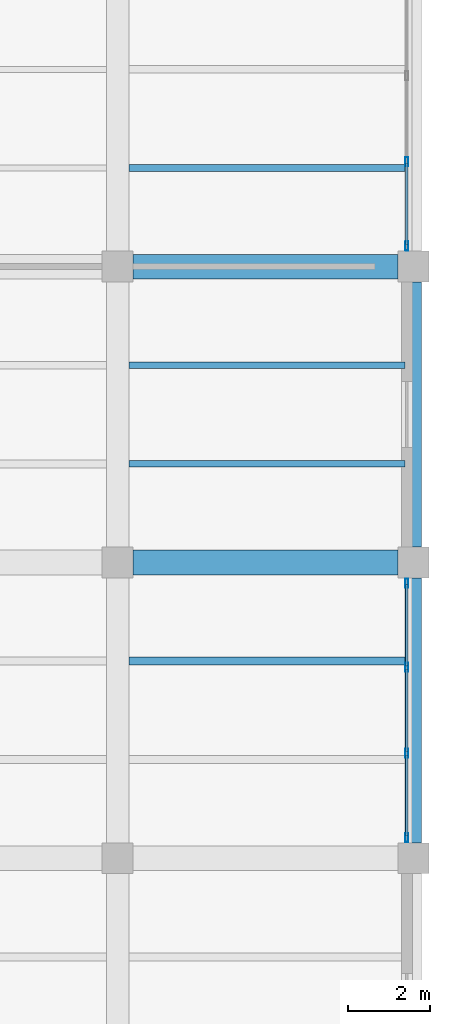
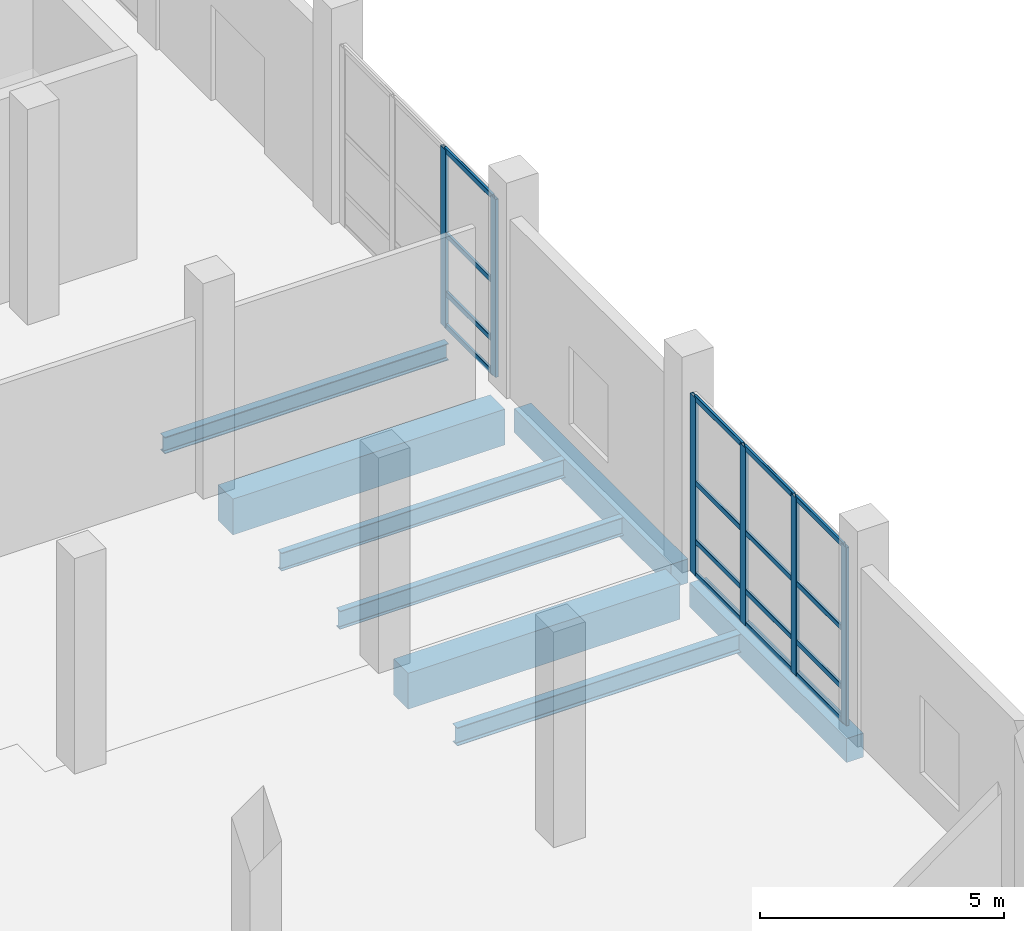
# One storey, part 78 of 137: 22 members, 8 beams, 2 elements without a shape of their own.
"""IFC4 building model written with IfcOpenShell, lengths in metres."""

from ifc_helpers import new_model, si_unit, direction, frame, origin, origin_2d, place, context, subcontext, project, spatial, rectangle, hollow_rectangle, i_section, extrude, material, material_profile, profile_set, type_object, element, aggregate, save


model = new_model("IFC4")

# Units and contexts
model_context = context("Model", 3, precision=1e-05, world=origin(), true_north=direction((0.0, 1.0)))
body_context = subcontext(model_context, "Body", "Model", "MODEL_VIEW")
ifc_project = project(units=[si_unit("LENGTHUNIT", "METRE"), si_unit("AREAUNIT", "SQUARE_METRE"), si_unit("VOLUMEUNIT", "CUBIC_METRE"), si_unit("PLANEANGLEUNIT", "RADIAN"), si_unit("MASSUNIT", "GRAM", prefix="KILO")], contexts=[model_context])

# Site, building, storey
site_placement = place(None, origin())
site = spatial("IfcSite", under=ifc_project, at=site_placement, CompositionType="ELEMENT")
building_placement = place(site_placement, origin())
building = spatial("IfcBuilding", under=site, at=building_placement, Name="Kalmorath City Hall", CompositionType="ELEMENT")
storey_placement = place(building_placement, origin())
storey = spatial("IfcBuildingStorey", under=building, at=storey_placement, Name="L00", CompositionType="ELEMENT", Elevation=0.0)

# Beams
ifc_material_1 = material(Name="Concrete C40/50", Category="concrete")
ifc_material_profile_1 = material_profile(ifc_material_1, rectangle(XDim=0.39990234375, YDim=0.60009765625, at=origin_2d()), Name="RC-BM-400X600")
ifc_profile_set_1 = profile_set([ifc_material_profile_1], Name="Concrete C40/50")
beam_type_1 = type_object("IfcBeamType", Name="Concrete edge beam 400x600", PredefinedType="SPANDREL", material=ifc_profile_set_1)
for number, where, z_axis, x_axis, name in (
    (1, (165.60009765625, 65.175048828125, -0.60400390625), (0.0, 1.0, 0.0), (-1.0, 0.0, 0.0), "L00 girder CB6 Y24/10-11"),
    (2, (165.60009765625, 72.375, -0.60400390625), (0.0, 1.0, 0.0), (-1.0, 0.0, 0.0), "L00 girder CB6 Y24/11-12"),
):
    element("IfcBeam", number, at=place(storey_placement, frame(where, z_axis=z_axis, x_axis=x_axis)), inside=storey, type_object=beam_type_1, Name=name, PredefinedType="SPANDREL", context=body_context, shape_type="SweptSolid", body=[
        extrude(rectangle(XDim=0.39990234375, YDim=0.60009765625, at=origin_2d()), origin(), (0.0, 0.0, 1.0), 6.449951171875),
    ])
ifc_material_2 = material(Name="Concrete C40/50", Category="concrete")
ifc_material_profile_2 = material_profile(ifc_material_2, rectangle(XDim=0.60009765625, YDim=0.89990234375, at=origin_2d()), Name="RC-BM-600X900")
ifc_profile_set_2 = profile_set([ifc_material_profile_2], Name="Concrete C40/50")
beam_type_2 = type_object("IfcBeamType", Name="Concrete floor girder 600x900", PredefinedType="BEAM", material=ifc_profile_set_2)
for number, where, z_axis, x_axis, name in (
    (3, (158.77490234375, 72.0, -0.75390625), (1.0, 0.0, 0.0), (0.0, 1.0, 0.0), "L00 girder CB1 X23-24/11"),
    (4, (158.77490234375, 79.199951171875, -0.75390625), (1.0, 0.0, 0.0), (0.0, 1.0, 0.0), "L00 girder CB1 X23-24/12"),
):
    element("IfcBeam", number, at=place(storey_placement, frame(where, z_axis=z_axis, x_axis=x_axis)), inside=storey, type_object=beam_type_2, Name=name, PredefinedType="BEAM", context=body_context, shape_type="SweptSolid", body=[
        extrude(rectangle(XDim=0.60009765625, YDim=0.89990234375, at=origin_2d()), origin(), (0.0, 0.0, 1.0), 6.4501953125),
    ])

# Curtain wall, members
ifc_material_3 = material(Name="Anodised aluminium and laminated glass", Category="aluminium")
curtain_wall_type = type_object("IfcCurtainWallType", Name="Unitised hurricane curtain wall 6270x4461 M1850", PredefinedType="NOTDEFINED", material=ifc_material_3)
curtain_wall_1_placement = place(storey_placement, origin())
curtain_wall_1 = element("IfcCurtainWall", 5, at=curtain_wall_1_placement, inside=storey, type_object=curtain_wall_type, Name="L00 curtain wall CW-63X45M18 #6", PredefinedType="NOTDEFINED")
ifc_material_4 = material(Name="Anodised aluminium framing", Category="aluminium")
ifc_material_profile_3 = material_profile(ifc_material_4, hollow_rectangle(XDim=0.06005859375, YDim=0.1298828125, WallThickness=0.00341796875, InnerFilletRadius=0.00341796875, OuterFilletRadius=0.007080078125, at=origin_2d()), Name="ALU-TRN-130X60X3.5")
ifc_profile_set_3 = profile_set([ifc_material_profile_3], Name="Anodised aluminium framing")
member_type_1 = type_object("IfcMemberType", Name="Curtain-wall courtyard transom 130x60", PredefinedType="USERDEFINED", material=ifc_profile_set_3)
member_1_placement = place(storey_placement, frame((165.43994140625, 81.717529296875, 0.030029296875), z_axis=(0.0, -1.0, 0.0), x_axis=(1.0, 0.0, 0.0)))
member_1 = element("IfcMember", 6, at=member_1_placement, type_object=member_type_1, Name="CW-63X45M18 transom 3.1", ObjectType="TRANSOM", PredefinedType="USERDEFINED", context=body_context, shape_type="SweptSolid", body=[
    extrude(hollow_rectangle(XDim=0.06005859375, YDim=0.1298828125, WallThickness=0.00341796875, InnerFilletRadius=0.00341796875, OuterFilletRadius=0.007080078125, at=origin_2d()), origin(), (0.0, 0.0, 1.0), 1.9775390625),
])
member_2_placement = place(storey_placement, frame((165.43994140625, 81.717529296875, 0.85009765625), z_axis=(0.0, -1.0, 0.0), x_axis=(1.0, 0.0, 0.0)))
member_2 = element("IfcMember", 7, at=member_2_placement, type_object=member_type_1, Name="CW-63X45M18 transom 3.2", ObjectType="TRANSOM", PredefinedType="USERDEFINED", context=body_context, shape_type="SweptSolid", body=[
    extrude(hollow_rectangle(XDim=0.06005859375, YDim=0.1298828125, WallThickness=0.00341796875, InnerFilletRadius=0.00341796875, OuterFilletRadius=0.007080078125, at=origin_2d()), origin(), (0.0, 0.0, 1.0), 1.9775390625),
])
member_3_placement = place(storey_placement, frame((165.43994140625, 81.717529296875, 2.320068359375), z_axis=(0.0, -1.0, 0.0), x_axis=(1.0, 0.0, 0.0)))
member_3 = element("IfcMember", 8, at=member_3_placement, type_object=member_type_1, Name="CW-63X45M18 transom 3.3", ObjectType="TRANSOM", PredefinedType="USERDEFINED", context=body_context, shape_type="SweptSolid", body=[
    extrude(hollow_rectangle(XDim=0.06005859375, YDim=0.1298828125, WallThickness=0.00341796875, InnerFilletRadius=0.00341796875, OuterFilletRadius=0.007080078125, at=origin_2d()), origin(), (0.0, 0.0, 1.0), 1.9775390625),
])
member_4_placement = place(storey_placement, frame((165.43994140625, 81.717529296875, 4.430908203125), z_axis=(0.0, -1.0, 0.0), x_axis=(1.0, 0.0, 0.0)))
member_4 = element("IfcMember", 9, at=member_4_placement, type_object=member_type_1, Name="CW-63X45M18 transom 3.4", ObjectType="TRANSOM", PredefinedType="USERDEFINED", context=body_context, shape_type="SweptSolid", body=[
    extrude(hollow_rectangle(XDim=0.06005859375, YDim=0.1298828125, WallThickness=0.00341796875, InnerFilletRadius=0.00341796875, OuterFilletRadius=0.007080078125, at=origin_2d()), origin(), (0.0, 0.0, 1.0), 1.9775390625),
])

curtain_wall_2_placement = place(storey_placement, origin())
curtain_wall_2 = element("IfcCurtainWall", 10, at=curtain_wall_2_placement, inside=storey, type_object=curtain_wall_type, Name="L00 curtain wall CW-63X45M18 #7", PredefinedType="NOTDEFINED")
member_5_placement = place(storey_placement, frame((165.43994140625, 71.4599609375, 0.030029296875), z_axis=(0.0, -1.0, 0.0), x_axis=(1.0, 0.0, 0.0)))
member_5 = element("IfcMember", 11, at=member_5_placement, type_object=member_type_1, Name="CW-63X45M18 transom 1.1", ObjectType="TRANSOM", PredefinedType="USERDEFINED", context=body_context, shape_type="SweptSolid", body=[
    extrude(hollow_rectangle(XDim=0.06005859375, YDim=0.1298828125, WallThickness=0.00341796875, InnerFilletRadius=0.00341796875, OuterFilletRadius=0.007080078125, at=origin_2d()), origin(), (0.0, 0.0, 1.0), 1.9775390625),
])
member_6_placement = place(storey_placement, frame((165.43994140625, 71.4599609375, 0.85009765625), z_axis=(0.0, -1.0, 0.0), x_axis=(1.0, 0.0, 0.0)))
member_6 = element("IfcMember", 12, at=member_6_placement, type_object=member_type_1, Name="CW-63X45M18 transom 1.2", ObjectType="TRANSOM", PredefinedType="USERDEFINED", context=body_context, shape_type="SweptSolid", body=[
    extrude(hollow_rectangle(XDim=0.06005859375, YDim=0.1298828125, WallThickness=0.00341796875, InnerFilletRadius=0.00341796875, OuterFilletRadius=0.007080078125, at=origin_2d()), origin(), (0.0, 0.0, 1.0), 1.9775390625),
])
member_7_placement = place(storey_placement, frame((165.43994140625, 71.4599609375, 2.320068359375), z_axis=(0.0, -1.0, 0.0), x_axis=(1.0, 0.0, 0.0)))
member_7 = element("IfcMember", 13, at=member_7_placement, type_object=member_type_1, Name="CW-63X45M18 transom 1.3", ObjectType="TRANSOM", PredefinedType="USERDEFINED", context=body_context, shape_type="SweptSolid", body=[
    extrude(hollow_rectangle(XDim=0.06005859375, YDim=0.1298828125, WallThickness=0.00341796875, InnerFilletRadius=0.00341796875, OuterFilletRadius=0.007080078125, at=origin_2d()), origin(), (0.0, 0.0, 1.0), 1.9775390625),
])
member_8_placement = place(storey_placement, frame((165.43994140625, 71.4599609375, 4.430908203125), z_axis=(0.0, -1.0, 0.0), x_axis=(1.0, 0.0, 0.0)))
member_8 = element("IfcMember", 14, at=member_8_placement, type_object=member_type_1, Name="CW-63X45M18 transom 1.4", ObjectType="TRANSOM", PredefinedType="USERDEFINED", context=body_context, shape_type="SweptSolid", body=[
    extrude(hollow_rectangle(XDim=0.06005859375, YDim=0.1298828125, WallThickness=0.00341796875, InnerFilletRadius=0.00341796875, OuterFilletRadius=0.007080078125, at=origin_2d()), origin(), (0.0, 0.0, 1.0), 1.9775390625),
])
member_9_placement = place(storey_placement, frame((165.43994140625, 69.407470703125, 0.030029296875), z_axis=(0.0, -1.0, 0.0), x_axis=(1.0, 0.0, 0.0)))
member_9 = element("IfcMember", 15, at=member_9_placement, type_object=member_type_1, Name="CW-63X45M18 transom 2.1", ObjectType="TRANSOM", PredefinedType="USERDEFINED", context=body_context, shape_type="SweptSolid", body=[
    extrude(hollow_rectangle(XDim=0.06005859375, YDim=0.1298828125, WallThickness=0.00341796875, InnerFilletRadius=0.00341796875, OuterFilletRadius=0.007080078125, at=origin_2d()), origin(), (0.0, 0.0, 1.0), 2.014892578125),
])
member_10_placement = place(storey_placement, frame((165.43994140625, 69.407470703125, 0.85009765625), z_axis=(0.0, -1.0, 0.0), x_axis=(1.0, 0.0, 0.0)))
member_10 = element("IfcMember", 16, at=member_10_placement, type_object=member_type_1, Name="CW-63X45M18 transom 2.2", ObjectType="TRANSOM", PredefinedType="USERDEFINED", context=body_context, shape_type="SweptSolid", body=[
    extrude(hollow_rectangle(XDim=0.06005859375, YDim=0.1298828125, WallThickness=0.00341796875, InnerFilletRadius=0.00341796875, OuterFilletRadius=0.007080078125, at=origin_2d()), origin(), (0.0, 0.0, 1.0), 2.014892578125),
])
member_11_placement = place(storey_placement, frame((165.43994140625, 69.407470703125, 2.320068359375), z_axis=(0.0, -1.0, 0.0), x_axis=(1.0, 0.0, 0.0)))
member_11 = element("IfcMember", 17, at=member_11_placement, type_object=member_type_1, Name="CW-63X45M18 transom 2.3", ObjectType="TRANSOM", PredefinedType="USERDEFINED", context=body_context, shape_type="SweptSolid", body=[
    extrude(hollow_rectangle(XDim=0.06005859375, YDim=0.1298828125, WallThickness=0.00341796875, InnerFilletRadius=0.00341796875, OuterFilletRadius=0.007080078125, at=origin_2d()), origin(), (0.0, 0.0, 1.0), 2.014892578125),
])
member_12_placement = place(storey_placement, frame((165.43994140625, 69.407470703125, 4.430908203125), z_axis=(0.0, -1.0, 0.0), x_axis=(1.0, 0.0, 0.0)))
member_12 = element("IfcMember", 18, at=member_12_placement, type_object=member_type_1, Name="CW-63X45M18 transom 2.4", ObjectType="TRANSOM", PredefinedType="USERDEFINED", context=body_context, shape_type="SweptSolid", body=[
    extrude(hollow_rectangle(XDim=0.06005859375, YDim=0.1298828125, WallThickness=0.00341796875, InnerFilletRadius=0.00341796875, OuterFilletRadius=0.007080078125, at=origin_2d()), origin(), (0.0, 0.0, 1.0), 2.014892578125),
])
member_13_placement = place(storey_placement, frame((165.43994140625, 67.3173828125, 0.030029296875), z_axis=(0.0, -1.0, 0.0), x_axis=(1.0, 0.0, 0.0)))
member_13 = element("IfcMember", 19, at=member_13_placement, type_object=member_type_1, Name="CW-63X45M18 transom 3.1", ObjectType="TRANSOM", PredefinedType="USERDEFINED", context=body_context, shape_type="SweptSolid", body=[
    extrude(hollow_rectangle(XDim=0.06005859375, YDim=0.1298828125, WallThickness=0.00341796875, InnerFilletRadius=0.00341796875, OuterFilletRadius=0.007080078125, at=origin_2d()), origin(), (0.0, 0.0, 1.0), 1.977294921875),
])
member_14_placement = place(storey_placement, frame((165.43994140625, 67.3173828125, 0.85009765625), z_axis=(0.0, -1.0, 0.0), x_axis=(1.0, 0.0, 0.0)))
member_14 = element("IfcMember", 20, at=member_14_placement, type_object=member_type_1, Name="CW-63X45M18 transom 3.2", ObjectType="TRANSOM", PredefinedType="USERDEFINED", context=body_context, shape_type="SweptSolid", body=[
    extrude(hollow_rectangle(XDim=0.06005859375, YDim=0.1298828125, WallThickness=0.00341796875, InnerFilletRadius=0.00341796875, OuterFilletRadius=0.007080078125, at=origin_2d()), origin(), (0.0, 0.0, 1.0), 1.977294921875),
])
member_15_placement = place(storey_placement, frame((165.43994140625, 67.3173828125, 2.320068359375), z_axis=(0.0, -1.0, 0.0), x_axis=(1.0, 0.0, 0.0)))
member_15 = element("IfcMember", 21, at=member_15_placement, type_object=member_type_1, Name="CW-63X45M18 transom 3.3", ObjectType="TRANSOM", PredefinedType="USERDEFINED", context=body_context, shape_type="SweptSolid", body=[
    extrude(hollow_rectangle(XDim=0.06005859375, YDim=0.1298828125, WallThickness=0.00341796875, InnerFilletRadius=0.00341796875, OuterFilletRadius=0.007080078125, at=origin_2d()), origin(), (0.0, 0.0, 1.0), 1.977294921875),
])
member_16_placement = place(storey_placement, frame((165.43994140625, 67.3173828125, 4.430908203125), z_axis=(0.0, -1.0, 0.0), x_axis=(1.0, 0.0, 0.0)))
member_16 = element("IfcMember", 22, at=member_16_placement, type_object=member_type_1, Name="CW-63X45M18 transom 3.4", ObjectType="TRANSOM", PredefinedType="USERDEFINED", context=body_context, shape_type="SweptSolid", body=[
    extrude(hollow_rectangle(XDim=0.06005859375, YDim=0.1298828125, WallThickness=0.00341796875, InnerFilletRadius=0.00341796875, OuterFilletRadius=0.007080078125, at=origin_2d()), origin(), (0.0, 0.0, 1.0), 1.977294921875),
])

# Member
ifc_material_5 = material(Name="Anodised aluminium framing", Category="aluminium")
ifc_material_profile_4 = material_profile(ifc_material_5, hollow_rectangle(XDim=0.074951171875, YDim=0.219970703125, WallThickness=0.00390625, InnerFilletRadius=0.00390625, OuterFilletRadius=0.008056640625, at=origin_2d()), Name="ALU-MUL-220X75X4")
ifc_profile_set_4 = profile_set([ifc_material_profile_4], Name="Anodised aluminium framing")
member_type_2 = type_object("IfcMemberType", Name="Curtain-wall primary mullion 220x75", PredefinedType="MULLION", material=ifc_profile_set_4)
member_17_placement = place(storey_placement, frame((165.43994140625, 81.7548828125, 0.0), z_axis=(0.0, 0.0, 1.0), x_axis=(1.0, 0.0, 0.0)))
member_17 = element("IfcMember", 23, at=member_17_placement, type_object=member_type_2, Name="CW-63X45M18 mullion 3", PredefinedType="MULLION", context=body_context, shape_type="SweptSolid", body=[
    extrude(hollow_rectangle(XDim=0.074951171875, YDim=0.219970703125, WallThickness=0.00390625, InnerFilletRadius=0.00390625, OuterFilletRadius=0.008056640625, at=origin_2d()), origin(), (0.0, 0.0, 1.0), 4.4609375),
])

member_18_placement = place(storey_placement, frame((165.43994140625, 79.702392578125, 0.0), z_axis=(0.0, 0.0, 1.0), x_axis=(1.0, 0.0, 0.0)))
member_18 = element("IfcMember", 24, at=member_18_placement, type_object=member_type_2, Name="CW-63X45M18 mullion 4", PredefinedType="MULLION", context=body_context, shape_type="SweptSolid", body=[
    extrude(hollow_rectangle(XDim=0.074951171875, YDim=0.219970703125, WallThickness=0.00390625, InnerFilletRadius=0.00390625, OuterFilletRadius=0.008056640625, at=origin_2d()), origin(), (0.0, 0.0, 1.0), 4.4609375),
])

aggregate(curtain_wall_1, [member_17, member_18, member_1, member_2, member_3, member_4])

member_19_placement = place(storey_placement, frame((165.43994140625, 71.49755859375, 0.0), z_axis=(0.0, 0.0, 1.0), x_axis=(1.0, 0.0, 0.0)))
member_19 = element("IfcMember", 25, at=member_19_placement, type_object=member_type_2, Name="CW-63X45M18 mullion 1", PredefinedType="MULLION", context=body_context, shape_type="SweptSolid", body=[
    extrude(hollow_rectangle(XDim=0.074951171875, YDim=0.219970703125, WallThickness=0.00390625, InnerFilletRadius=0.00390625, OuterFilletRadius=0.008056640625, at=origin_2d()), origin(), (0.0, 0.0, 1.0), 4.4609375),
])

member_20_placement = place(storey_placement, frame((165.43994140625, 69.445068359375, 0.0), z_axis=(0.0, 0.0, 1.0), x_axis=(1.0, 0.0, 0.0)))
member_20 = element("IfcMember", 26, at=member_20_placement, type_object=member_type_2, Name="CW-63X45M18 mullion 2", PredefinedType="MULLION", context=body_context, shape_type="SweptSolid", body=[
    extrude(hollow_rectangle(XDim=0.074951171875, YDim=0.219970703125, WallThickness=0.00390625, InnerFilletRadius=0.00390625, OuterFilletRadius=0.008056640625, at=origin_2d()), origin(), (0.0, 0.0, 1.0), 4.4609375),
])

member_21_placement = place(storey_placement, frame((165.43994140625, 67.35498046875, 0.0), z_axis=(0.0, 0.0, 1.0), x_axis=(1.0, 0.0, 0.0)))
member_21 = element("IfcMember", 27, at=member_21_placement, type_object=member_type_2, Name="CW-63X45M18 mullion 3", PredefinedType="MULLION", context=body_context, shape_type="SweptSolid", body=[
    extrude(hollow_rectangle(XDim=0.074951171875, YDim=0.219970703125, WallThickness=0.00390625, InnerFilletRadius=0.00390625, OuterFilletRadius=0.008056640625, at=origin_2d()), origin(), (0.0, 0.0, 1.0), 4.4609375),
])

member_22_placement = place(storey_placement, frame((165.43994140625, 65.302490234375, 0.0), z_axis=(0.0, 0.0, 1.0), x_axis=(1.0, 0.0, 0.0)))
member_22 = element("IfcMember", 28, at=member_22_placement, type_object=member_type_2, Name="CW-63X45M18 mullion 4", PredefinedType="MULLION", context=body_context, shape_type="SweptSolid", body=[
    extrude(hollow_rectangle(XDim=0.074951171875, YDim=0.219970703125, WallThickness=0.00390625, InnerFilletRadius=0.00390625, OuterFilletRadius=0.008056640625, at=origin_2d()), origin(), (0.0, 0.0, 1.0), 4.4609375),
])

aggregate(curtain_wall_2, [member_19, member_20, member_21, member_22, member_5, member_6, member_7, member_8, member_9, member_10, member_11, member_12, member_13, member_14, member_15, member_16])

# Beams
ifc_material_6 = material(Name="Steel ASTM A992 Grade 50", Category="steel")
ifc_material_profile_5 = material_profile(ifc_material_6, i_section(OverallWidth=0.180908203125, OverallDepth=0.4169921875, WebThickness=0.010986328125, FlangeThickness=0.018310546875, FilletRadius=0.012939453125, at=origin_2d()), Name="W16X57")
ifc_profile_set_5 = profile_set([ifc_material_profile_5], Name="Steel ASTM A992 Grade 50")
beam_type_3 = type_object("IfcBeamType", Name="Steel composite joist W16X57", PredefinedType="JOIST", material=ifc_profile_set_5)
beam_1_placement = place(storey_placement, frame((158.675048828125, 81.60009765625, -0.512451171875), z_axis=(1.0, 0.0, 0.0), x_axis=(0.0, 1.0, 0.0)))
element("IfcBeam", 29, at=beam_1_placement, inside=storey, type_object=beam_type_3, Name="L00 joist SJ5 23.12.1", PredefinedType="JOIST", context=body_context, shape_type="SweptSolid", body=[
    extrude(i_section(OverallWidth=0.180908203125, OverallDepth=0.4169921875, WebThickness=0.010986328125, FlangeThickness=0.018310546875, FilletRadius=0.012939453125, at=origin_2d()), origin(), (0.0, 0.0, 1.0), 6.724853515625),
])
ifc_material_7 = material(Name="Steel ASTM A992 Grade 50", Category="steel")
ifc_material_profile_6 = material_profile(ifc_material_7, i_section(OverallWidth=0.153076171875, OverallDepth=0.455078125, WebThickness=0.008056640625, FlangeThickness=0.01318359375, FilletRadius=0.013916015625, at=origin_2d()), Name="W18X40")
ifc_profile_set_6 = profile_set([ifc_material_profile_6], Name="Steel ASTM A992 Grade 50")
beam_type_4 = type_object("IfcBeamType", Name="Steel composite joist W18X40", PredefinedType="JOIST", material=ifc_profile_set_6)
for number, where, z_axis, x_axis, name in (
    (30, (158.675048828125, 74.39990234375, -0.531494140625), (1.0, 0.0, 0.0), (0.0, 1.0, 0.0), "L00 joist SJ4 23.11.1"),
    (31, (158.675048828125, 76.800048828125, -0.531494140625), (1.0, 0.0, 0.0), (0.0, 1.0, 0.0), "L00 joist SJ4 23.11.2"),
):
    element("IfcBeam", number, at=place(storey_placement, frame(where, z_axis=z_axis, x_axis=x_axis)), inside=storey, type_object=beam_type_4, Name=name, PredefinedType="JOIST", context=body_context, shape_type="SweptSolid", body=[
        extrude(i_section(OverallWidth=0.153076171875, OverallDepth=0.455078125, WebThickness=0.008056640625, FlangeThickness=0.01318359375, FilletRadius=0.013916015625, at=origin_2d()), origin(), (0.0, 0.0, 1.0), 6.724853515625),
    ])
ifc_material_8 = material(Name="Steel ASTM A992 Grade 50", Category="steel")
ifc_material_profile_7 = material_profile(ifc_material_8, i_section(OverallWidth=0.19091796875, OverallDepth=0.45703125, WebThickness=0.009033203125, FlangeThickness=0.014404296875, FilletRadius=0.013916015625, at=origin_2d()), Name="W18X50")
ifc_profile_set_7 = profile_set([ifc_material_profile_7], Name="Steel ASTM A992 Grade 50")
beam_type_5 = type_object("IfcBeamType", Name="Steel composite joist W18X50", PredefinedType="JOIST", material=ifc_profile_set_7)
beam_2_placement = place(storey_placement, frame((158.675048828125, 69.60009765625, -0.532470703125), z_axis=(1.0, 0.0, 0.0), x_axis=(0.0, 1.0, 0.0)))
element("IfcBeam", 32, at=beam_2_placement, inside=storey, type_object=beam_type_5, Name="L00 joist SJ3 23.10.2", PredefinedType="JOIST", context=body_context, shape_type="SweptSolid", body=[
    extrude(i_section(OverallWidth=0.19091796875, OverallDepth=0.45703125, WebThickness=0.009033203125, FlangeThickness=0.014404296875, FilletRadius=0.013916015625, at=origin_2d()), origin(), (0.0, 0.0, 1.0), 6.724853515625),
])

save(model, "model.ifc")
